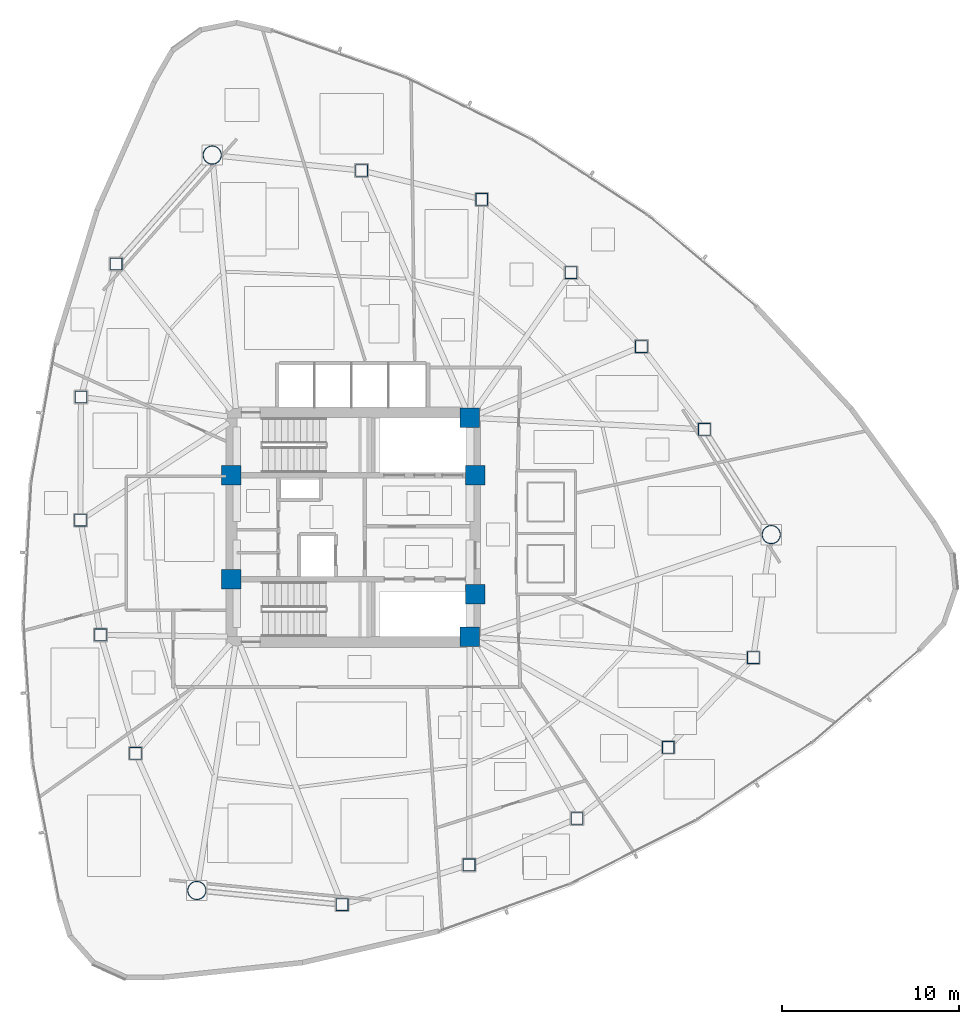
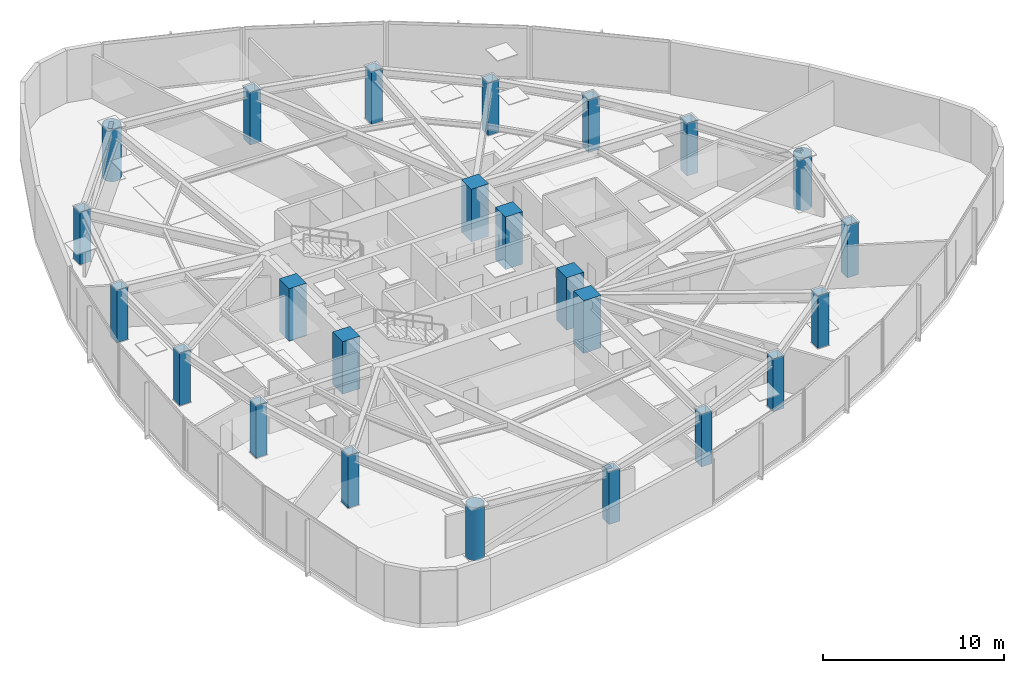
# One storey, part 1 of 17: 24 columns.
"""IFC4 building model written with IfcOpenShell, lengths in metres."""

from ifc_helpers import new_model, si_unit, direction, frame, origin, origin_2d, place, context, subcontext, project, spatial, rectangle, hollow_rectangle, hollow_circle, extrude, material, material_profile, profile_set, type_object, element, save


model = new_model("IFC4")

# Units and contexts
model_context = context("Model", 3, precision=1e-05, world=origin(), true_north=direction((0.0, 1.0)))
body_context = subcontext(model_context, "Body", "Model", "MODEL_VIEW")
ifc_project = project(units=[si_unit("LENGTHUNIT", "METRE"), si_unit("AREAUNIT", "SQUARE_METRE"), si_unit("VOLUMEUNIT", "CUBIC_METRE"), si_unit("PLANEANGLEUNIT", "RADIAN"), si_unit("MASSUNIT", "GRAM", prefix="KILO")], contexts=[model_context])

# Site, building, storey
site_placement = place(None, origin())
site = spatial("IfcSite", under=ifc_project, at=site_placement, CompositionType="ELEMENT")
building_placement = place(site_placement, origin())
building = spatial("IfcBuilding", under=site, at=building_placement, Name="Tavelor Broadcast Tower", CompositionType="ELEMENT")
storey_placement = place(building_placement, frame((0.0, 0.0, 131.0)))
storey = spatial("IfcBuildingStorey", under=building, at=storey_placement, Name="L30", CompositionType="ELEMENT", Elevation=131.0)

# Columns
ifc_material_1 = material(Name="Concrete C60/75", Category="concrete")
ifc_material_profile_1 = material_profile(ifc_material_1, rectangle(XDim=1.10009765625, YDim=1.10009765625, at=origin_2d()), Name="RC 1100x1100")
ifc_profile_set_1 = profile_set([ifc_material_profile_1], Name="Concrete C60/75")
column_type_1 = type_object("IfcColumnType", Name="Core Embedded Composite Column RC1100", PredefinedType="COLUMN", material=ifc_profile_set_1)
for number, where, z_axis, x_axis, name in (
    (1, (43.10009765625, 47.949951171875, 0.0), (0.0, 0.0, 1.0), (1.0, 0.0, 0.0), "L30 Core Embedded Column 1"),
    (2, (56.89990234375, 47.949951171875, 0.0), (0.0, 0.0, 1.0), (1.0, 0.0, 0.0), "L30 Core Embedded Column 2"),
    (3, (56.60009765625, 51.199951171875, 0.0), (0.0, 0.0, 1.0), (1.0, 0.0, 0.0), "L30 Core Embedded Column 3"),
    (4, (43.10009765625, 42.050048828125, 0.0), (0.0, 0.0, 1.0), (1.0, 0.0, 0.0), "L30 Core Embedded Column 4"),
    (5, (56.89990234375, 41.199951171875, 0.0), (0.0, 0.0, 1.0), (1.0, 0.0, 0.0), "L30 Core Embedded Column 5"),
    (6, (56.60009765625, 38.800048828125, 0.0), (0.0, 0.0, 1.0), (1.0, 0.0, 0.0), "L30 Core Embedded Column 6"),
):
    element("IfcColumn", number, at=place(storey_placement, frame(where, z_axis=z_axis, x_axis=x_axis)), inside=storey, type_object=column_type_1, Name=name, PredefinedType="COLUMN", context=body_context, shape_type="SweptSolid", body=[
        extrude(rectangle(XDim=1.10009765625, YDim=1.10009765625, at=origin_2d()), origin(), (0.0, 0.0, 1.0), 3.550048828125),
    ])
ifc_material_2 = material(Name="Steel S460", Category="steel")
ifc_material_profile_2 = material_profile(ifc_material_2, hollow_rectangle(XDim=0.699951171875, YDim=0.699951171875, WallThickness=0.0400390625, at=origin_2d()), Name="SHS 700x700x40")
ifc_profile_set_2 = profile_set([ifc_material_profile_2], Name="Steel S460")
column_type_2 = type_object("IfcColumnType", Name="Perimeter Tube Column T3 SHS 700x700x40", PredefinedType="COLUMN", material=ifc_profile_set_2)
for number, where, z_axis, x_axis, name in (
    (7, (36.567626953125, 59.91064453125, 0.0), (0.0, 0.0, 1.0), (1.0, 0.0, 0.0), "L30 Perimeter Framed-Tube Column 02"),
    (8, (34.5751953125, 52.37939453125, 0.0), (0.0, 0.0, 1.0), (1.0, 0.0, 0.0), "L30 Perimeter Framed-Tube Column 03"),
    (9, (34.54638671875, 45.399169921875, 0.0), (0.0, 0.0, 1.0), (1.0, 0.0, 0.0), "L30 Perimeter Framed-Tube Column 04"),
    (10, (35.680908203125, 38.89990234375, 0.0), (0.0, 0.0, 1.0), (1.0, 0.0, 0.0), "L30 Perimeter Framed-Tube Column 05"),
    (11, (37.668212890625, 32.1904296875, 0.0), (0.0, 0.0, 1.0), (1.0, 0.0, 0.0), "L30 Perimeter Framed-Tube Column 06"),
    (12, (49.366455078125, 23.618896484375, 0.0), (0.0, 0.0, 1.0), (1.0, 0.0, 0.0), "L30 Perimeter Framed-Tube Column 08"),
    (13, (56.56103515625, 25.872802734375, 0.0), (0.0, 0.0, 1.0), (1.0, 0.0, 0.0), "L30 Perimeter Framed-Tube Column 09"),
    (14, (62.669189453125, 28.503173828125, 0.0), (0.0, 0.0, 1.0), (1.0, 0.0, 0.0), "L30 Perimeter Framed-Tube Column 10"),
    (15, (67.84228515625, 32.53173828125, 0.0), (0.0, 0.0, 1.0), (1.0, 0.0, 0.0), "L30 Perimeter Framed-Tube Column 11"),
    (16, (72.6591796875, 37.607421875, 0.0), (0.0, 0.0, 1.0), (1.0, 0.0, 0.0), "L30 Perimeter Framed-Tube Column 12"),
    (17, (69.885986328125, 50.544189453125, 0.0), (0.0, 0.0, 1.0), (1.0, 0.0, 0.0), "L30 Perimeter Framed-Tube Column 14"),
    (18, (66.322021484375, 55.228759765625, 0.0), (0.0, 0.0, 1.0), (1.0, 0.0, 0.0), "L30 Perimeter Framed-Tube Column 15"),
    (19, (62.330810546875, 59.416259765625, 0.0), (0.0, 0.0, 1.0), (1.0, 0.0, 0.0), "L30 Perimeter Framed-Tube Column 16"),
    (20, (57.276611328125, 63.568359375, 0.0), (0.0, 0.0, 1.0), (1.0, 0.0, 0.0), "L30 Perimeter Framed-Tube Column 17"),
    (21, (50.472412109375, 65.2021484375, 0.0), (0.0, 0.0, 1.0), (1.0, 0.0, 0.0), "L30 Perimeter Framed-Tube Column 18"),
):
    element("IfcColumn", number, at=place(storey_placement, frame(where, z_axis=z_axis, x_axis=x_axis)), inside=storey, type_object=column_type_2, Name=name, PredefinedType="COLUMN", context=body_context, shape_type="SweptSolid", body=[
        extrude(hollow_rectangle(XDim=0.699951171875, YDim=0.699951171875, WallThickness=0.0400390625, at=origin_2d()), origin(), (0.0, 0.0, 1.0), 3.550048828125),
    ])
ifc_material_profile_3 = material_profile(ifc_material_2, hollow_circle(Radius=0.533447265625, WallThickness=0.044921875, at=origin_2d()), Name="CHS 1067x45")
ifc_profile_set_3 = profile_set([ifc_material_profile_3], Name="Steel S460")
column_type_3 = type_object("IfcColumnType", Name="Tower Mega Column T3 CHS 1067x45", PredefinedType="COLUMN", material=ifc_profile_set_3)
for number, where, z_axis, x_axis, name in (
    (22, (42.01123046875, 66.080078125, 0.0), (0.0, 0.0, 1.0), (1.0, 0.0, 0.0), "L30 Tower Corner Mega Column 01"),
    (23, (41.138671875, 24.423828125, 0.0), (0.0, 0.0, 1.0), (1.0, 0.0, 0.0), "L30 Tower Corner Mega Column 07"),
    (24, (73.676025390625, 44.57958984375, 0.0), (0.0, 0.0, 1.0), (1.0, 0.0, 0.0), "L30 Tower Corner Mega Column 13"),
):
    element("IfcColumn", number, at=place(storey_placement, frame(where, z_axis=z_axis, x_axis=x_axis)), inside=storey, type_object=column_type_3, Name=name, PredefinedType="COLUMN", context=body_context, shape_type="SweptSolid", body=[
        extrude(hollow_circle(Radius=0.533447265625, WallThickness=0.044921875, at=origin_2d()), origin(), (0.0, 0.0, 1.0), 3.550048828125),
    ])

save(model, "model.ifc")
